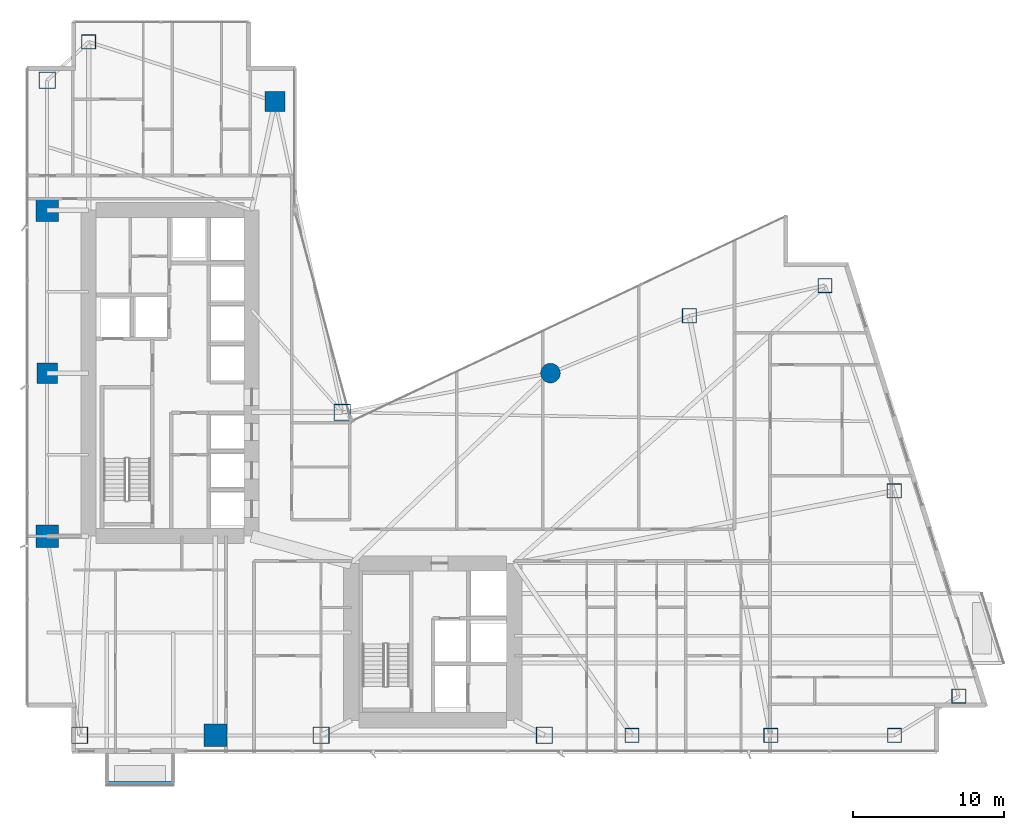
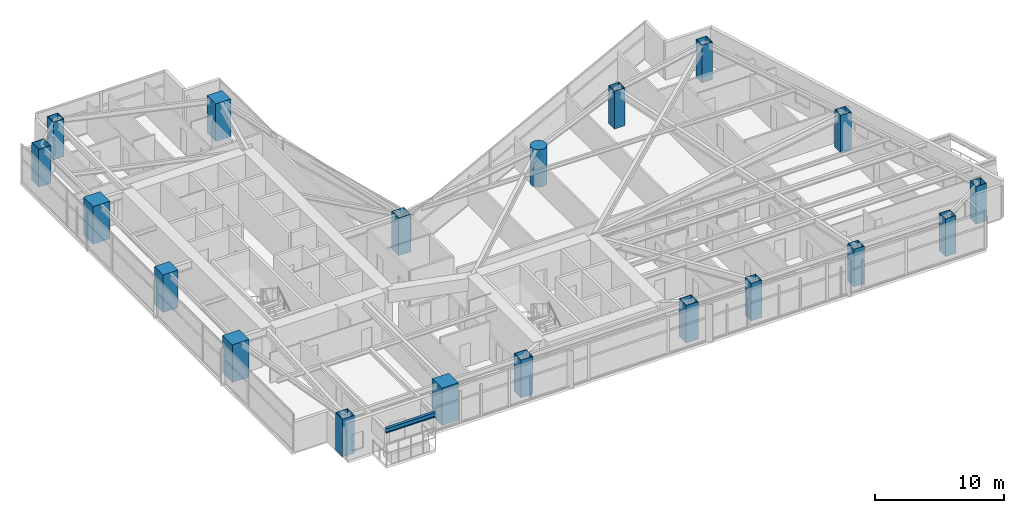
# One storey, part 1 of 30: 19 columns, 1 beam.
"""IFC4 building model written with IfcOpenShell, lengths in metres."""

from ifc_helpers import new_model, si_unit, direction, frame, origin, origin_2d, place, context, subcontext, project, spatial, rectangle, hollow_rectangle, circle, i_section, extrude, material, material_profile, profile_set, type_object, element, save


model = new_model("IFC4")

# Units and contexts
model_context = context("Model", 3, precision=1e-05, world=origin(), true_north=direction((0.0, 1.0)))
body_context = subcontext(model_context, "Body", "Model", "MODEL_VIEW")
ifc_project = project(units=[si_unit("LENGTHUNIT", "METRE"), si_unit("AREAUNIT", "SQUARE_METRE"), si_unit("VOLUMEUNIT", "CUBIC_METRE"), si_unit("PLANEANGLEUNIT", "RADIAN"), si_unit("MASSUNIT", "GRAM", prefix="KILO")], contexts=[model_context])

# Site, building, storey
site_placement = place(None, origin())
site = spatial("IfcSite", under=ifc_project, at=site_placement, CompositionType="ELEMENT")
building_placement = place(site_placement, origin())
building = spatial("IfcBuilding", under=site, at=building_placement, Name="Calvorn Quay Hotel", CompositionType="ELEMENT")
storey_placement = place(building_placement, frame((0.0, 0.0, 50.800048828125)))
storey = spatial("IfcBuildingStorey", under=building, at=storey_placement, Name="L11", CompositionType="ELEMENT", Elevation=50.800048828125)

# Columns
ifc_material_1 = material(Name="Concrete C60", Category="concrete")
ifc_material_profile_1 = material_profile(ifc_material_1, rectangle(XDim=1.35009765625, YDim=1.35009765625, at=origin_2d()), Name="RC1350x1350")
ifc_profile_set_1 = profile_set([ifc_material_profile_1], Name="Concrete C60")
column_type_1 = type_object("IfcColumnType", Name="COL-RC-1350", PredefinedType="COLUMN", material=ifc_profile_set_1)
for number, where, z_axis, x_axis, name in (
    (1, (1.449951171875, 27.60009765625, 0.0), (0.0, 0.0, 1.0), (1.0, 0.0, 0.0), "Column C-W3 (L11)"),
    (2, (16.550048828125, 45.60009765625, 0.0), (0.0, 0.0, 1.0), (1.0, 0.0, 0.0), "Column C-IC1 (L11)"),
):
    element("IfcColumn", number, at=place(storey_placement, frame(where, z_axis=z_axis, x_axis=x_axis)), inside=storey, type_object=column_type_1, Name=name, PredefinedType="COLUMN", context=body_context, shape_type="SweptSolid", body=[
        extrude(rectangle(XDim=1.35009765625, YDim=1.35009765625, at=origin_2d()), origin(), (0.0, 0.0, 1.0), 3.56005859375),
    ])
ifc_material_2 = material(Name="Concrete C60", Category="concrete")
ifc_material_profile_2 = material_profile(ifc_material_2, rectangle(XDim=1.5, YDim=1.5, at=origin_2d()), Name="RC1500x1500")
ifc_profile_set_2 = profile_set([ifc_material_profile_2], Name="Concrete C60")
column_type_2 = type_object("IfcColumnType", Name="COL-RC-1500", PredefinedType="COLUMN", material=ifc_profile_set_2)
for number, where, z_axis, x_axis, name in (
    (3, (1.449951171875, 16.800048828125, 0.0), (0.0, 0.0, 1.0), (1.0, 0.0, 0.0), "Column C-W2 (L11)"),
    (4, (1.449951171875, 38.39990234375, 0.0), (0.0, 0.0, 1.0), (1.0, 0.0, 0.0), "Column C-W4 (L11)"),
    (5, (12.60009765625, 3.60009765625, 0.0), (0.0, 0.0, 1.0), (1.0, 0.0, 0.0), "Column C-S1 (L11)"),
):
    element("IfcColumn", number, at=place(storey_placement, frame(where, z_axis=z_axis, x_axis=x_axis)), inside=storey, type_object=column_type_2, Name=name, PredefinedType="COLUMN", context=body_context, shape_type="SweptSolid", body=[
        extrude(rectangle(XDim=1.5, YDim=1.5, at=origin_2d()), origin(), (0.0, 0.0, 1.0), 3.56005859375),
    ])
ifc_material_3 = material(Name="Concrete C60", Category="concrete")
ifc_material_profile_3 = material_profile(ifc_material_3, circle(Radius=0.64990234375, at=origin_2d()), Name="RCD1300")
ifc_profile_set_3 = profile_set([ifc_material_profile_3], Name="Concrete C60")
column_type_3 = type_object("IfcColumnType", Name="COL-RC-D1300", PredefinedType="COLUMN", material=ifc_profile_set_3)
column_placement = place(storey_placement, frame((34.800048828125, 27.60009765625, 0.0), z_axis=(0.0, 0.0, 1.0), x_axis=(1.0, 0.0, 0.0)))
element("IfcColumn", 6, at=column_placement, inside=storey, type_object=column_type_3, Name="Column C-NC1 (L11)", PredefinedType="COLUMN", context=body_context, shape_type="SweptSolid", body=[
    extrude(circle(Radius=0.64990234375, at=origin_2d()), origin(), (0.0, 0.0, 1.0), 3.56005859375),
])
ifc_material_4 = material(Name="Steel Q420GJC", Category="steel")
ifc_material_profile_4 = material_profile(ifc_material_4, hollow_rectangle(XDim=1.10009765625, YDim=1.10009765625, WallThickness=0.044921875, at=origin_2d()), Name="BOX1100x1100x45")
ifc_profile_set_4 = profile_set([ifc_material_profile_4], Name="Steel Q420GJC")
column_type_4 = type_object("IfcColumnType", Name="COL-STL-MEGA1", PredefinedType="COLUMN", material=ifc_profile_set_4)
for number, where, z_axis, x_axis, name in (
    (7, (3.60009765625, 3.60009765625, 0.0), (0.0, 0.0, 1.0), (1.0, 0.0, 0.0), "Column C-W1 (L11)"),
    (8, (1.449951171875, 47.0, 0.0), (0.0, 0.0, 1.0), (1.0, 0.0, 0.0), "Column C-W5 (L11)"),
    (9, (21.0, 25.0, 0.0), (0.0, 0.0, 1.0), (1.0, 0.0, 0.0), "Column C-IC2 (L11)"),
    (10, (19.60009765625, 3.60009765625, 0.0), (0.0, 0.0, 1.0), (1.0, 0.0, 0.0), "Column C-S2 (L11)"),
    (11, (34.39990234375, 3.60009765625, 0.0), (0.0, 0.0, 1.0), (1.0, 0.0, 0.0), "Column C-S3 (L11)"),
):
    element("IfcColumn", number, at=place(storey_placement, frame(where, z_axis=z_axis, x_axis=x_axis)), inside=storey, type_object=column_type_4, Name=name, PredefinedType="COLUMN", context=body_context, shape_type="SweptSolid", body=[
        extrude(hollow_rectangle(XDim=1.10009765625, YDim=1.10009765625, WallThickness=0.044921875, at=origin_2d()), origin(), (0.0, 0.0, 1.0), 3.56005859375),
    ])
ifc_material_5 = material(Name="Steel Q420GJC", Category="steel")
ifc_material_profile_5 = material_profile(ifc_material_5, hollow_rectangle(XDim=0.949951171875, YDim=0.949951171875, WallThickness=0.0400390625, at=origin_2d()), Name="BOX950x950x40")
ifc_profile_set_5 = profile_set([ifc_material_profile_5], Name="Steel Q420GJC")
column_type_5 = type_object("IfcColumnType", Name="COL-STL-MEGA2", PredefinedType="COLUMN", material=ifc_profile_set_5)
for number, where, z_axis, x_axis, name in (
    (12, (4.199951171875, 49.550048828125, 0.0), (0.0, 0.0, 1.0), (1.0, 0.0, 0.0), "Column C-NW1 (L11)"),
    (13, (40.199951171875, 3.60009765625, 0.0), (0.0, 0.0, 1.0), (1.0, 0.0, 0.0), "Column C-S4 (L11)"),
    (14, (49.39990234375, 3.60009765625, 0.0), (0.0, 0.0, 1.0), (1.0, 0.0, 0.0), "Column C-S5 (L11)"),
    (15, (57.60009765625, 3.60009765625, 0.0), (0.0, 0.0, 1.0), (1.0, 0.0, 0.0), "Column C-S6 (L11)"),
    (16, (44.0, 31.39990234375, 0.0), (0.0, 0.0, 1.0), (1.0, 0.0, 0.0), "Column C-NC2 (L11)"),
    (17, (61.861083984375, 6.199951171875, 0.0), (0.0, 0.0, 1.0), (1.0, 0.0, 0.0), "Column C-ET1 (L11)"),
    (18, (57.575927734375, 19.800048828125, 0.0), (0.0, 0.0, 1.0), (1.0, 0.0, 0.0), "Column C-ET2 (L11)"),
    (19, (52.990966796875, 33.39990234375, 0.0), (0.0, 0.0, 1.0), (1.0, 0.0, 0.0), "Column C-ET3 (L11)"),
):
    element("IfcColumn", number, at=place(storey_placement, frame(where, z_axis=z_axis, x_axis=x_axis)), inside=storey, type_object=column_type_5, Name=name, PredefinedType="COLUMN", context=body_context, shape_type="SweptSolid", body=[
        extrude(hollow_rectangle(XDim=0.949951171875, YDim=0.949951171875, WallThickness=0.0400390625, at=origin_2d()), origin(), (0.0, 0.0, 1.0), 3.56005859375),
    ])

# Beam
ifc_material_6 = material(Name="Steel Q355B", Category="steel")
ifc_material_profile_6 = material_profile(ifc_material_6, i_section(OverallWidth=0.25, OverallDepth=0.449951171875, WebThickness=0.011962890625, FlangeThickness=0.01611328125, FilletRadius=0.01611328125, at=origin_2d()), Name="HN450x250x12x16")
ifc_profile_set_6 = profile_set([ifc_material_profile_6], Name="Steel Q355B")
beam_type = type_object("IfcBeamType", Name="BM-CANT-BALC", PredefinedType="BEAM", material=ifc_profile_set_6)
beam_placement = place(storey_placement, frame((5.39990234375, 0.409912109375, 3.31494140625), z_axis=(1.0, 0.0, 0.0), x_axis=(0.0, 1.0, 0.0)))
element("IfcBeam", 20, at=beam_placement, inside=storey, type_object=beam_type, Name="Beam BCBO-L12-2", PredefinedType="BEAM", context=body_context, shape_type="SweptSolid", body=[
    extrude(i_section(OverallWidth=0.25, OverallDepth=0.449951171875, WebThickness=0.011962890625, FlangeThickness=0.01611328125, FilletRadius=0.01611328125, at=origin_2d()), origin(), (0.0, 0.0, 1.0), 4.400146484375),
])

save(model, "model.ifc")
